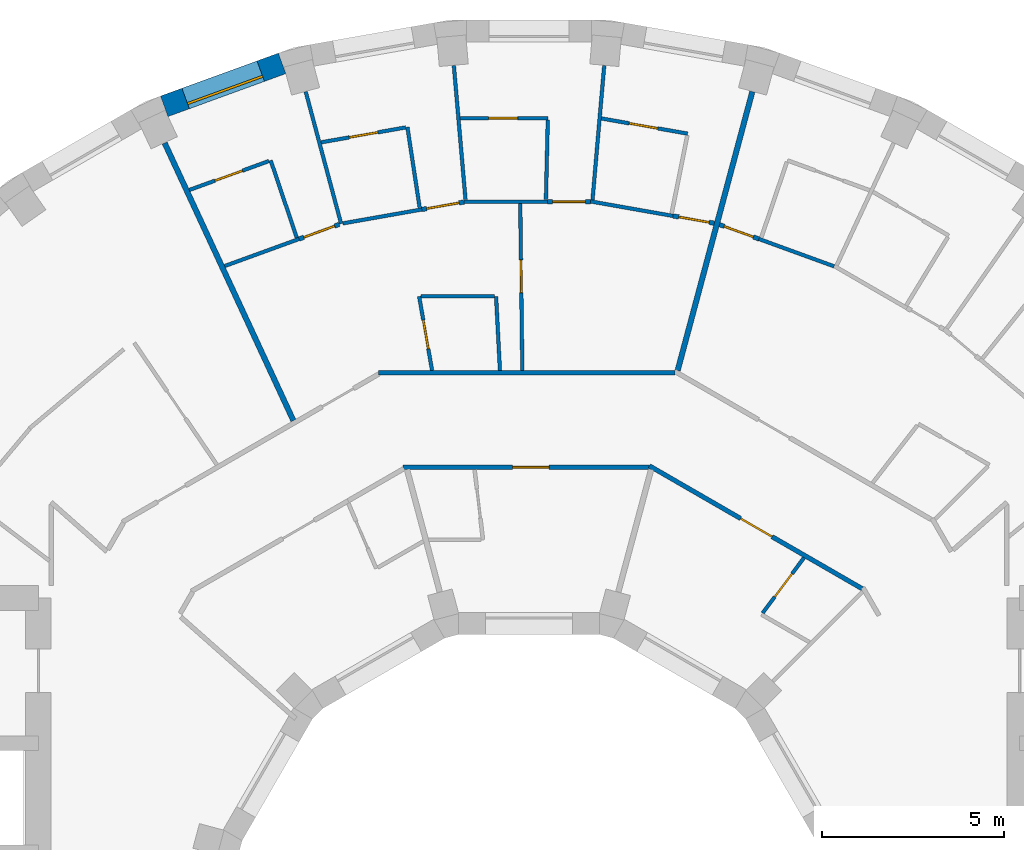
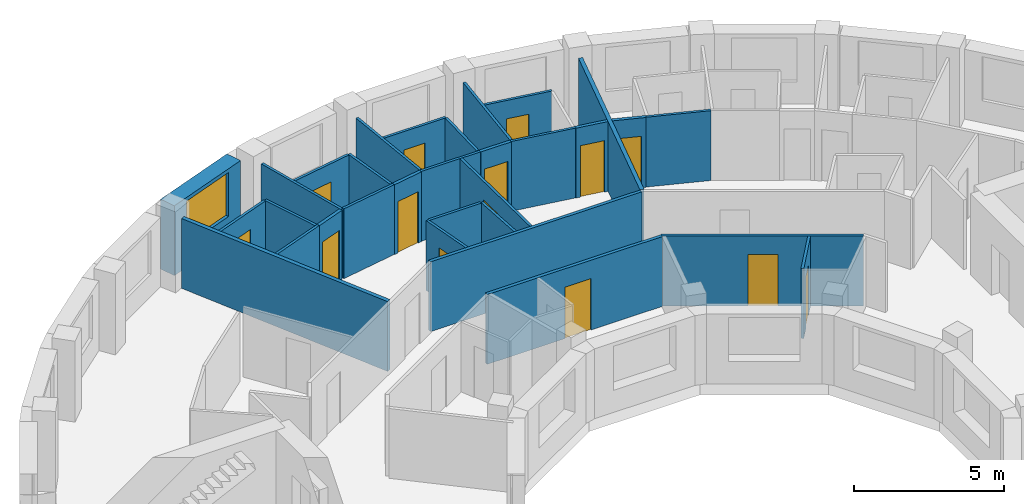
# One storey, part 11 of 14: 31 walls, 14 doors, 1 window, 15 openings.
"""IFC4 building model written with IfcOpenShell, lengths in metres."""

from ifc_helpers import new_model, si_unit, direction, frame, frame_2d, origin, place, context, subcontext, project, spatial, rectangle, extrude, material, layer, layer_set, type_object, element, fill, save


model = new_model("IFC4")

# Units and contexts
model_context = context("Model", 3, precision=1e-05, world=origin(), true_north=direction((0.0, 1.0)))
body_context = subcontext(model_context, "Body", "Model", "MODEL_VIEW")
ifc_project = project(units=[si_unit("LENGTHUNIT", "METRE"), si_unit("AREAUNIT", "SQUARE_METRE"), si_unit("VOLUMEUNIT", "CUBIC_METRE"), si_unit("PLANEANGLEUNIT", "RADIAN"), si_unit("MASSUNIT", "GRAM", prefix="KILO")], contexts=[model_context])

# Site, building, storey
site_placement = place(None, origin())
site = spatial("IfcSite", under=ifc_project, at=site_placement, CompositionType="ELEMENT")
building_placement = place(site_placement, origin())
building = spatial("IfcBuilding", under=site, at=building_placement, Name="Saqina Gate Tower", CompositionType="ELEMENT")
storey_placement = place(building_placement, frame((0.0, 0.0, 177.300048828125)))
storey = spatial("IfcBuildingStorey", under=building, at=storey_placement, Name="L50", CompositionType="ELEMENT", Elevation=177.300048828125)

# Wall, opening, window
ifc_material_1 = material(Name="Brick masonry (buff)", Category="masonry")
ifc_layer_1 = layer(ifc_material_1, 0.60009765625)
ifc_layer_set_1 = layer_set([ifc_layer_1], Name="FW-BRICK-BUFF")
wall_type_1 = type_object("IfcWallType", Name="FW-BRICK-BUFF", PredefinedType="SOLIDWALL", material=ifc_layer_set_1)
wall_1_placement = place(storey_placement, frame((-6.79443359375, 23.7109375, 0.0), z_axis=(0.0, 0.0, 1.0), x_axis=(-0.93968799822, -0.342032843455, 0.0)))
wall_1 = element("IfcWall", 1, at=wall_1_placement, inside=storey, type_object=wall_type_1, Name="Facade wall L50 facet 11", PredefinedType="SOLIDWALL", context=body_context, shape_type="SweptSolid", body=[
    extrude(rectangle(XDim=3.44970703125, YDim=0.60009765625, at=frame_2d((1.724853515625, 0.0))), origin(), (0.0, 0.0, 1.0), 2.849853515625),
])
opening_1_placement = place(wall_1_placement, frame((0.625, 0.0, 0.89990234375)))
opening_1 = element("IfcOpeningElement", 2, at=opening_1_placement, cuts=wall_1, Name="Opening G14-W09", PredefinedType="OPENING", context=body_context, shape_type="SweptSolid", body=[
    extrude(rectangle(XDim=2.199951171875, YDim=1.800048828125, at=frame_2d((1.10009765625, 0.89990234375))), frame((0.0, 0.31201171875, 0.0), z_axis=(0.0, -1.0, 0.0), x_axis=(1.0, 0.0, 0.0)), (0.0, 0.0, 1.0), 0.6240234375),
])
ifc_material_2 = material(Name="Aluminium glazing", Category="aluminium")
window_type = type_object("IfcWindowType", Name="WN-C", PartitioningType="SINGLE_PANEL", PredefinedType="WINDOW", material=ifc_material_2)
window_placement = place(opening_1_placement, origin())
window = element("IfcWindow", 3, at=window_placement, inside=storey, type_object=window_type, Name="Window L50 facet 11", OverallHeight=1.800048828125, OverallWidth=2.199951171875, PartitioningType="SINGLE_PANEL", PredefinedType="WINDOW", context=body_context, shape_type="SweptSolid", body=[
    extrude(rectangle(XDim=2.199951171875, YDim=1.800048828125, at=frame_2d((1.10009765625, 0.89990234375))), frame((0.0, 0.179931640625, 0.0), z_axis=(0.0, -1.0, 0.0), x_axis=(1.0, 0.0, 0.0)), (0.0, 0.0, 1.0), 0.06005859375),
])
fill(opening_1, window)

# Wall, opening, door
ifc_material_3 = material(Name="Gypsum board on steel studs, 100 mm", Category="steel")
ifc_layer_2 = layer(ifc_material_3, 0.10009765625)
ifc_layer_set_2 = layer_set([ifc_layer_2], Name="PARTITION 100")
wall_type_2 = type_object("IfcWallType", Name="PARTITION 100", PredefinedType="PARTITIONING", material=ifc_layer_set_2)
wall_2_placement = place(storey_placement, frame((-0.241455078125, 19.85498046875, 0.0), z_axis=(0.0, 0.0, 1.0), x_axis=(0.012332271409, -0.999923954649, 0.0)))
wall_2 = element("IfcWall", 4, at=wall_2_placement, inside=storey, type_object=wall_type_2, Name="PARTITION PW3-01", PredefinedType="PARTITIONING", context=body_context, shape_type="SweptSolid", body=[
    extrude(rectangle(XDim=4.5927734375, YDim=0.10009765625, at=frame_2d((2.29638671875, 0.0))), origin(), (0.0, 0.0, 1.0), 2.849853515625),
])
opening_2_placement = place(wall_2_placement, frame((1.552734375, 0.0, 0.0)))
opening_2 = element("IfcOpeningElement", 5, at=opening_2_placement, cuts=wall_2, Name="Opening G14-D18", PredefinedType="OPENING", context=body_context, shape_type="SweptSolid", body=[
    extrude(rectangle(XDim=0.89990234375, YDim=2.10009765625, at=frame_2d((0.449951171875, 1.050048828125))), frame((0.0, 0.06201171875, 0.0), z_axis=(0.0, -1.0, 0.0), x_axis=(1.0, 0.0, 0.0)), (0.0, 0.0, 1.0), 0.1240234375),
])
ifc_material_4 = material(Name="Timber door leaf, 900 mm", Category="wood")
door_type_1 = type_object("IfcDoorType", Name="DOOR 900 TIMBER", OperationType="SINGLE_SWING_LEFT", PredefinedType="DOOR", material=ifc_material_4)
door_1_placement = place(opening_2_placement, frame((0.89990234375, 0.0, 0.0), z_axis=(0.0, 0.0, 1.0), x_axis=(-1.0, 0.0, 0.0)))
door_1 = element("IfcDoor", 6, at=door_1_placement, inside=storey, type_object=door_type_1, Name="DOOR G14-D18", OperationType="SINGLE_SWING_LEFT", OverallHeight=2.10009765625, OverallWidth=0.89990234375, PredefinedType="DOOR", context=body_context, shape_type="SweptSolid", body=[
    extrude(rectangle(XDim=0.89990234375, YDim=2.10009765625, at=frame_2d((0.449951171875, 1.050048828125))), frame((0.0, 0.02490234375, 0.0), z_axis=(0.0, -1.0, 0.0), x_axis=(1.0, 0.0, 0.0)), (0.0, 0.0, 1.0), 0.050048828125),
])
fill(opening_2, door_1)

# Walls
wall_3_placement = place(storey_placement, frame((-0.906982421875, 17.300048828125, 0.0), z_axis=(0.0, 0.0, 1.0), x_axis=(0.052288783436, -0.998632005859, 0.0)))
element("IfcWall", 7, at=wall_3_placement, inside=storey, type_object=wall_type_2, Name="PARTITION PW3-03", PredefinedType="PARTITIONING", context=body_context, shape_type="SweptSolid", body=[
    extrude(rectangle(XDim=2.040283203125, YDim=0.10009765625, at=frame_2d((1.02001953125, 0.0))), origin(), (0.0, 0.0, 1.0), 2.849853515625),
])
wall_4_placement = place(storey_placement, frame((-2.06884765625, 23.649658203125, 0.0), z_axis=(0.0, 0.0, 1.0), x_axis=(0.086783514493, -0.996227193773, 0.0)))
element("IfcWall", 8, at=wall_4_placement, inside=storey, type_object=wall_type_2, Name="PARTITION PW3-04", PredefinedType="PARTITIONING", context=body_context, shape_type="SweptSolid", body=[
    extrude(rectangle(XDim=3.696533203125, YDim=0.10009765625, at=frame_2d((1.84814453125, 0.0))), origin(), (0.0, 0.0, 1.0), 2.849853515625),
])
wall_5_placement = place(storey_placement, frame((-3.346923828125, 21.95703125, 0.0), z_axis=(0.0, 0.0, 1.0), x_axis=(0.150778111259, -0.988567631053, 0.0)))
element("IfcWall", 9, at=wall_5_placement, inside=storey, type_object=wall_type_2, Name="PARTITION PW3-08", PredefinedType="PARTITIONING", context=body_context, shape_type="SweptSolid", body=[
    extrude(rectangle(XDim=2.23779296875, YDim=0.10009765625, at=frame_2d((1.118896484375, 0.0))), origin(), (0.0, 0.0, 1.0), 2.849853515625),
])

# Wall, opening, door
wall_6_placement = place(storey_placement, frame((-3.02392578125, 17.300048828125, 0.0), z_axis=(0.0, 0.0, 1.0), x_axis=(0.172122773882, -0.985075505081, 0.0)))
wall_6 = element("IfcWall", 10, at=wall_6_placement, inside=storey, type_object=wall_type_2, Name="PARTITION PW3-10", PredefinedType="PARTITIONING", context=body_context, shape_type="SweptSolid", body=[
    extrude(rectangle(XDim=2.069580078125, YDim=0.10009765625, at=frame_2d((1.03466796875, 0.0))), origin(), (0.0, 0.0, 1.0), 2.849853515625),
])
opening_3_placement = place(wall_6_placement, frame((0.666015625, 0.0, 0.0)))
opening_3 = element("IfcOpeningElement", 11, at=opening_3_placement, cuts=wall_6, Name="Opening G14-D22", PredefinedType="OPENING", context=body_context, shape_type="SweptSolid", body=[
    extrude(rectangle(XDim=0.800048828125, YDim=2.10009765625, at=frame_2d((0.39990234375, 1.050048828125))), frame((0.0, 0.06201171875, 0.0), z_axis=(0.0, -1.0, 0.0), x_axis=(1.0, 0.0, 0.0)), (0.0, 0.0, 1.0), 0.1240234375),
])
ifc_material_5 = material(Name="Timber door leaf, 800 mm", Category="wood")
door_type_2 = type_object("IfcDoorType", Name="DOOR 800 TIMBER", OperationType="SINGLE_SWING_LEFT", PredefinedType="DOOR", material=ifc_material_5)
door_2_placement = place(opening_3_placement, frame((0.800048828125, 0.0, 0.0), z_axis=(0.0, 0.0, 1.0), x_axis=(-1.0, 0.0, 0.0)))
door_2 = element("IfcDoor", 12, at=door_2_placement, inside=storey, type_object=door_type_2, Name="DOOR G14-D22", OperationType="SINGLE_SWING_LEFT", OverallHeight=2.10009765625, OverallWidth=0.800048828125, PredefinedType="DOOR", context=body_context, shape_type="SweptSolid", body=[
    extrude(rectangle(XDim=0.800048828125, YDim=2.10009765625, at=frame_2d((0.39990234375, 1.050048828125))), frame((0.0, 0.02490234375, 0.0), z_axis=(0.0, -1.0, 0.0), x_axis=(1.0, 0.0, 0.0)), (0.0, 0.0, 1.0), 0.050048828125),
])
fill(opening_3, door_2)

# Walls
wall_7_placement = place(storey_placement, frame((-6.144775390625, 22.930908203125, 0.0), z_axis=(0.0, 0.0, 1.0), x_axis=(0.259065026248, -0.965859882268, 0.0)))
element("IfcWall", 13, at=wall_7_placement, inside=storey, type_object=wall_type_2, Name="PARTITION PW3-13", PredefinedType="PARTITIONING", context=body_context, shape_type="SweptSolid", body=[
    extrude(rectangle(XDim=3.75927734375, YDim=0.10009765625, at=frame_2d((1.879638671875, 0.0))), origin(), (0.0, 0.0, 1.0), 2.849853515625),
])
wall_8_placement = place(storey_placement, frame((-7.10888671875, 21.0419921875, 0.0), z_axis=(0.0, 0.0, 1.0), x_axis=(0.320001473527, -0.947417044886, 0.0)))
element("IfcWall", 14, at=wall_8_placement, inside=storey, type_object=wall_type_2, Name="PARTITION PW3-15", PredefinedType="PARTITIONING", context=body_context, shape_type="SweptSolid", body=[
    extrude(rectangle(XDim=2.25, YDim=0.10009765625, at=frame_2d((1.125, 0.0))), origin(), (0.0, 0.0, 1.0), 2.849853515625),
])
wall_9_placement = place(storey_placement, frame((6.325927734375, 18.879638671875, 0.0), z_axis=(0.0, 0.0, 1.0), x_axis=(0.939712538812, -0.341965414041, 0.0)))
element("IfcWall", 15, at=wall_9_placement, inside=storey, type_object=wall_type_2, Name="PARTITION PW3-44", PredefinedType="PARTITIONING", context=body_context, shape_type="SweptSolid", body=[
    extrude(rectangle(XDim=2.203857421875, YDim=0.10009765625, at=frame_2d((1.10205078125, 0.0))), origin(), (0.0, 0.0, 1.0), 2.849853515625),
])
wall_10_placement = place(storey_placement, frame((1.69091796875, 19.913818359375, 0.0), z_axis=(0.0, 0.0, 1.0), x_axis=(0.984801677979, -0.173682627367, 0.0)))
element("IfcWall", 16, at=wall_10_placement, inside=storey, type_object=wall_type_2, Name="PARTITION PW3-48", PredefinedType="PARTITIONING", context=body_context, shape_type="SweptSolid", body=[
    extrude(rectangle(XDim=2.305419921875, YDim=0.10009765625, at=frame_2d((1.15283203125, 0.0))), origin(), (0.0, 0.0, 1.0), 2.849853515625),
])

# Wall, opening, door
wall_11_placement = place(storey_placement, frame((1.9921875, 22.1962890625, 0.0), z_axis=(0.0, 0.0, 1.0), x_axis=(0.984820260231, -0.173577230762, 0.0)))
wall_11 = element("IfcWall", 17, at=wall_11_placement, inside=storey, type_object=wall_type_2, Name="PARTITION PW3-49", PredefinedType="PARTITIONING", context=body_context, shape_type="SweptSolid", body=[
    extrude(rectangle(XDim=2.409423828125, YDim=0.10009765625, at=frame_2d((1.20458984375, 0.0))), origin(), (0.0, 0.0, 1.0), 2.849853515625),
])
opening_4_placement = place(wall_11_placement, frame((0.77978515625, 0.0, 0.0)))
opening_4 = element("IfcOpeningElement", 18, at=opening_4_placement, cuts=wall_11, Name="Opening G14-D15", PredefinedType="OPENING", context=body_context, shape_type="SweptSolid", body=[
    extrude(rectangle(XDim=0.800048828125, YDim=2.10009765625, at=frame_2d((0.39990234375, 1.050048828125))), frame((0.0, 0.06201171875, 0.0), z_axis=(0.0, -1.0, 0.0), x_axis=(1.0, 0.0, 0.0)), (0.0, 0.0, 1.0), 0.1240234375),
])
door_3_placement = place(opening_4_placement, origin())
door_3 = element("IfcDoor", 19, at=door_3_placement, inside=storey, type_object=door_type_2, Name="DOOR G14-D15", OperationType="SINGLE_SWING_LEFT", OverallHeight=2.10009765625, OverallWidth=0.800048828125, PredefinedType="DOOR", context=body_context, shape_type="SweptSolid", body=[
    extrude(rectangle(XDim=0.800048828125, YDim=2.10009765625, at=frame_2d((0.39990234375, 1.050048828125))), frame((0.0, 0.02490234375, 0.0), z_axis=(0.0, -1.0, 0.0), x_axis=(1.0, 0.0, 0.0)), (0.0, 0.0, 1.0), 0.050048828125),
])
fill(opening_4, door_3)

# Walls
wall_12_placement = place(storey_placement, frame((-2.97412109375, 17.300048828125, 0.0), z_axis=(0.0, 0.0, 1.0), x_axis=(1.0, 0.0, 0.0)))
element("IfcWall", 20, at=wall_12_placement, inside=storey, type_object=wall_type_2, Name="PARTITION PW3-55", PredefinedType="PARTITIONING", context=body_context, shape_type="SweptSolid", body=[
    extrude(rectangle(XDim=2.01708984375, YDim=0.10009765625, at=frame_2d((1.008544921875, 0.0))), origin(), (0.0, 0.0, 1.0), 2.849853515625),
])
wall_13_placement = place(storey_placement, frame((-1.791748046875, 19.905029296875, 0.0), z_axis=(0.0, 0.0, 1.0), x_axis=(1.0, 0.0, 0.0)))
element("IfcWall", 21, at=wall_13_placement, inside=storey, type_object=wall_type_2, Name="PARTITION PW3-56", PredefinedType="PARTITIONING", context=body_context, shape_type="SweptSolid", body=[
    extrude(rectangle(XDim=2.3046875, YDim=0.10009765625, at=frame_2d((1.15234375, 0.0))), origin(), (0.0, 0.0, 1.0), 2.849853515625),
])

# Wall, opening, door
wall_14_placement = place(storey_placement, frame((-1.89306640625, 22.205078125, 0.0), z_axis=(0.0, 0.0, 1.0), x_axis=(1.0, 0.0, 0.0)))
wall_14 = element("IfcWall", 22, at=wall_14_placement, inside=storey, type_object=wall_type_2, Name="PARTITION PW3-57", PredefinedType="PARTITIONING", context=body_context, shape_type="SweptSolid", body=[
    extrude(rectangle(XDim=2.41015625, YDim=0.10009765625, at=frame_2d((1.205078125, 0.0))), origin(), (0.0, 0.0, 1.0), 2.849853515625),
])
opening_5_placement = place(wall_14_placement, frame((0.780029296875, 0.0, 0.0)))
opening_5 = element("IfcOpeningElement", 23, at=opening_5_placement, cuts=wall_14, Name="Opening G14-D19", PredefinedType="OPENING", context=body_context, shape_type="SweptSolid", body=[
    extrude(rectangle(XDim=0.800048828125, YDim=2.10009765625, at=frame_2d((0.39990234375, 1.050048828125))), frame((0.0, 0.06201171875, 0.0), z_axis=(0.0, -1.0, 0.0), x_axis=(1.0, 0.0, 0.0)), (0.0, 0.0, 1.0), 0.1240234375),
])
door_4_placement = place(opening_5_placement, origin())
door_4 = element("IfcDoor", 24, at=door_4_placement, inside=storey, type_object=door_type_2, Name="DOOR G14-D19", OperationType="SINGLE_SWING_LEFT", OverallHeight=2.10009765625, OverallWidth=0.800048828125, PredefinedType="DOOR", context=body_context, shape_type="SweptSolid", body=[
    extrude(rectangle(XDim=0.800048828125, YDim=2.10009765625, at=frame_2d((0.39990234375, 1.050048828125))), frame((0.0, 0.02490234375, 0.0), z_axis=(0.0, -1.0, 0.0), x_axis=(1.0, 0.0, 0.0)), (0.0, 0.0, 1.0), 0.050048828125),
])
fill(opening_5, door_4)

# Wall
wall_15_placement = place(storey_placement, frame((-5.121826171875, 19.30859375, 0.0), z_axis=(0.0, 0.0, 1.0), x_axis=(0.984790246942, 0.173747430277, 0.0)))
element("IfcWall", 25, at=wall_15_placement, inside=storey, type_object=wall_type_2, Name="PARTITION PW3-60", PredefinedType="PARTITIONING", context=body_context, shape_type="SweptSolid", body=[
    extrude(rectangle(XDim=2.20458984375, YDim=0.10009765625, at=frame_2d((1.102294921875, 0.0))), origin(), (0.0, 0.0, 1.0), 2.849853515625),
])

# Wall, opening, door
wall_16_placement = place(storey_placement, frame((-5.7197265625, 21.53857421875, 0.0), z_axis=(0.0, 0.0, 1.0), x_axis=(0.984809591131, 0.173637752855, 0.0)))
wall_16 = element("IfcWall", 26, at=wall_16_placement, inside=storey, type_object=wall_type_2, Name="PARTITION PW3-61", PredefinedType="PARTITIONING", context=body_context, shape_type="SweptSolid", body=[
    extrude(rectangle(XDim=2.359375, YDim=0.10009765625, at=frame_2d((1.1796875, 0.0))), origin(), (0.0, 0.0, 1.0), 2.849853515625),
])
opening_6_placement = place(wall_16_placement, frame((0.77978515625, 0.0, 0.0)))
opening_6 = element("IfcOpeningElement", 27, at=opening_6_placement, cuts=wall_16, Name="Opening G14-D23", PredefinedType="OPENING", context=body_context, shape_type="SweptSolid", body=[
    extrude(rectangle(XDim=0.800048828125, YDim=2.10009765625, at=frame_2d((0.39990234375, 1.050048828125))), frame((0.0, 0.06201171875, 0.0), z_axis=(0.0, -1.0, 0.0), x_axis=(1.0, 0.0, 0.0)), (0.0, 0.0, 1.0), 0.1240234375),
])
door_5_placement = place(opening_6_placement, origin())
door_5 = element("IfcDoor", 28, at=door_5_placement, inside=storey, type_object=door_type_2, Name="DOOR G14-D23", OperationType="SINGLE_SWING_RIGHT", OverallHeight=2.10009765625, OverallWidth=0.800048828125, PredefinedType="DOOR", context=body_context, shape_type="SweptSolid", body=[
    extrude(rectangle(XDim=0.800048828125, YDim=2.10009765625, at=frame_2d((0.39990234375, 1.050048828125))), frame((0.0, 0.02490234375, 0.0), z_axis=(0.0, -1.0, 0.0), x_axis=(1.0, 0.0, 0.0)), (0.0, 0.0, 1.0), 0.050048828125),
])
fill(opening_6, door_5)

# Wall
wall_17_placement = place(storey_placement, frame((-8.37353515625, 18.134765625, 0.0), z_axis=(0.0, 0.0, 1.0), x_axis=(0.939750886848, 0.341860016189, 0.0)))
element("IfcWall", 29, at=wall_17_placement, inside=storey, type_object=wall_type_2, Name="PARTITION PW3-64", PredefinedType="PARTITIONING", context=body_context, shape_type="SweptSolid", body=[
    extrude(rectangle(XDim=2.178955078125, YDim=0.10009765625, at=frame_2d((1.08935546875, 0.0))), origin(), (0.0, 0.0, 1.0), 2.849853515625),
])

# Wall, opening, door
wall_18_placement = place(storey_placement, frame((-9.349609375, 20.2265625, 0.0), z_axis=(0.0, 0.0, 1.0), x_axis=(0.939701781882, 0.341994972371, 0.0)))
wall_18 = element("IfcWall", 30, at=wall_18_placement, inside=storey, type_object=wall_type_2, Name="PARTITION PW3-65", PredefinedType="PARTITIONING", context=body_context, shape_type="SweptSolid", body=[
    extrude(rectangle(XDim=2.33447265625, YDim=0.10009765625, at=frame_2d((1.167236328125, 0.0))), origin(), (0.0, 0.0, 1.0), 2.849853515625),
])
opening_7_placement = place(wall_18_placement, frame((0.754638671875, 0.0, 0.0)))
opening_7 = element("IfcOpeningElement", 31, at=opening_7_placement, cuts=wall_18, Name="Opening G14-D26", PredefinedType="OPENING", context=body_context, shape_type="SweptSolid", body=[
    extrude(rectangle(XDim=0.800048828125, YDim=2.10009765625, at=frame_2d((0.39990234375, 1.050048828125))), frame((0.0, 0.06201171875, 0.0), z_axis=(0.0, -1.0, 0.0), x_axis=(1.0, 0.0, 0.0)), (0.0, 0.0, 1.0), 0.1240234375),
])
door_6_placement = place(opening_7_placement, origin())
door_6 = element("IfcDoor", 32, at=door_6_placement, inside=storey, type_object=door_type_2, Name="DOOR G14-D26", OperationType="SINGLE_SWING_LEFT", OverallHeight=2.10009765625, OverallWidth=0.800048828125, PredefinedType="DOOR", context=body_context, shape_type="SweptSolid", body=[
    extrude(rectangle(XDim=0.800048828125, YDim=2.10009765625, at=frame_2d((0.39990234375, 1.050048828125))), frame((0.0, 0.02490234375, 0.0), z_axis=(0.0, -1.0, 0.0), x_axis=(1.0, 0.0, 0.0)), (0.0, 0.0, 1.0), 0.050048828125),
])
fill(opening_7, door_6)

wall_19_placement = place(storey_placement, frame((6.427001953125, 8.5859375, 0.0), z_axis=(0.0, 0.0, 1.0), x_axis=(0.599137140235, 0.800646418334, 0.0)))
wall_19 = element("IfcWall", 33, at=wall_19_placement, inside=storey, type_object=wall_type_2, Name="PARTITION PW3-87", PredefinedType="PARTITIONING", context=body_context, shape_type="SweptSolid", body=[
    extrude(rectangle(XDim=1.902099609375, YDim=0.10009765625, at=frame_2d((0.951171875, 0.0))), origin(), (0.0, 0.0, 1.0), 2.849853515625),
])
opening_8_placement = place(wall_19_placement, frame((0.557373046875, 0.0, 0.0)))
opening_8 = element("IfcOpeningElement", 34, at=opening_8_placement, cuts=wall_19, Name="Opening G14-D06", PredefinedType="OPENING", context=body_context, shape_type="SweptSolid", body=[
    extrude(rectangle(XDim=0.800048828125, YDim=2.10009765625, at=frame_2d((0.39990234375, 1.050048828125))), frame((0.0, 0.06201171875, 0.0), z_axis=(0.0, -1.0, 0.0), x_axis=(1.0, 0.0, 0.0)), (0.0, 0.0, 1.0), 0.1240234375),
])
door_7_placement = place(opening_8_placement, origin())
door_7 = element("IfcDoor", 35, at=door_7_placement, inside=storey, type_object=door_type_2, Name="DOOR G14-D06", OperationType="SINGLE_SWING_RIGHT", OverallHeight=2.10009765625, OverallWidth=0.800048828125, PredefinedType="DOOR", context=body_context, shape_type="SweptSolid", body=[
    extrude(rectangle(XDim=0.800048828125, YDim=2.10009765625, at=frame_2d((0.39990234375, 1.050048828125))), frame((0.0, 0.02490234375, 0.0), z_axis=(0.0, -1.0, 0.0), x_axis=(1.0, 0.0, 0.0)), (0.0, 0.0, 1.0), 0.050048828125),
])
fill(opening_8, door_7)

# Walls
wall_20_placement = place(storey_placement, frame((1.746826171875, 19.95458984375, 0.0), z_axis=(0.0, 0.0, 1.0), x_axis=(0.086819919703, 0.996224021766, 0.0)))
element("IfcWall", 36, at=wall_20_placement, inside=storey, type_object=wall_type_2, Name="PARTITION PW3-102", PredefinedType="PARTITIONING", context=body_context, shape_type="SweptSolid", body=[
    extrude(rectangle(XDim=3.708984375, YDim=0.10009765625, at=frame_2d((1.8544921875, 0.0))), origin(), (0.0, 0.0, 1.0), 2.849853515625),
])
wall_21_placement = place(storey_placement, frame((0.46435546875, 19.967529296875, 0.0), z_axis=(0.0, 0.0, 1.0), x_axis=(0.023542580156, 0.99972283505, 0.0)))
element("IfcWall", 37, at=wall_21_placement, inside=storey, type_object=wall_type_2, Name="PARTITION PW3-103", PredefinedType="PARTITIONING", context=body_context, shape_type="SweptSolid", body=[
    extrude(rectangle(XDim=2.18798828125, YDim=0.10009765625, at=frame_2d((1.093994140625, 0.0))), origin(), (0.0, 0.0, 1.0), 2.849853515625),
])

# Wall, opening, door
ifc_material_6 = material(Name="Gypsum board on steel studs, 125 mm, fire rated", Category="steel")
ifc_layer_3 = layer(ifc_material_6, 0.125)
ifc_layer_set_3 = layer_set([ifc_layer_3], Name="PARTITION EI 30 125")
wall_type_3 = type_object("IfcWallType", Name="PARTITION EI 30 125", PredefinedType="PARTITIONING", material=ifc_layer_set_3)
wall_22_placement = place(storey_placement, frame((3.3134765625, 12.635986328125, 0.0), z_axis=(0.0, 0.0, 1.0), x_axis=(0.866048512801, -0.499959971872, 0.0)))
wall_22 = element("IfcWall", 38, at=wall_22_placement, inside=storey, type_object=wall_type_3, Name="PARTITION PW1-19", PredefinedType="PARTITIONING", context=body_context, shape_type="SweptSolid", body=[
    extrude(rectangle(XDim=6.76220703125, YDim=0.125, at=frame_2d((3.381103515625, 0.0))), origin(), (0.0, 0.0, 1.0), 2.849853515625),
])
opening_9_placement = place(wall_22_placement, frame((2.897705078125, 0.0, 0.0)))
opening_9 = element("IfcOpeningElement", 39, at=opening_9_placement, cuts=wall_22, Name="Opening G14-D09", PredefinedType="OPENING", context=body_context, shape_type="SweptSolid", body=[
    extrude(rectangle(XDim=1.0, YDim=2.10009765625, at=frame_2d((0.5, 1.050048828125))), frame((0.0, 0.074462890625, 0.0), z_axis=(0.0, -1.0, 0.0), x_axis=(1.0, 0.0, 0.0)), (0.0, 0.0, 1.0), 0.14892578125),
])
ifc_material_7 = material(Name="Fire door leaf EI 30, 1000 mm")
door_type_3 = type_object("IfcDoorType", Name="DOOR 1000 EI 30", OperationType="SINGLE_SWING_LEFT", PredefinedType="DOOR", material=ifc_material_7)
door_8_placement = place(opening_9_placement, frame((1.0, 0.0, 0.0), z_axis=(0.0, 0.0, 1.0), x_axis=(-1.0, 0.0, 0.0)))
door_8 = element("IfcDoor", 40, at=door_8_placement, inside=storey, type_object=door_type_3, Name="DOOR G14-D09", OperationType="SINGLE_SWING_LEFT", OverallHeight=2.10009765625, OverallWidth=1.0, PredefinedType="DOOR", context=body_context, shape_type="SweptSolid", body=[
    extrude(rectangle(XDim=1.0, YDim=2.10009765625, at=frame_2d((0.5, 1.050048828125))), frame((0.0, 0.02490234375, 0.0), z_axis=(0.0, -1.0, 0.0), x_axis=(1.0, 0.0, 0.0)), (0.0, 0.0, 1.0), 0.050048828125),
])
fill(opening_9, door_8)

wall_23_placement = place(storey_placement, frame((5.241455078125, 19.2744140625, 0.0), z_axis=(0.0, 0.0, 1.0), x_axis=(0.939651255639, -0.342133771756, 0.0)))
wall_23 = element("IfcWall", 41, at=wall_23_placement, inside=storey, type_object=wall_type_3, Name="PARTITION PW1-23", PredefinedType="PARTITIONING", context=body_context, shape_type="SweptSolid", body=[
    extrude(rectangle(XDim=1.15380859375, YDim=0.125, at=frame_2d((0.576904296875, 0.0))), origin(), (0.0, 0.0, 1.0), 2.849853515625),
])
opening_10_placement = place(wall_23_placement, frame((0.139404296875, 0.0, 0.0)))
opening_10 = element("IfcOpeningElement", 42, at=opening_10_placement, cuts=wall_23, Name="Opening G14-D13", PredefinedType="OPENING", context=body_context, shape_type="SweptSolid", body=[
    extrude(rectangle(XDim=0.85009765625, YDim=2.10009765625, at=frame_2d((0.425048828125, 1.050048828125))), frame((0.0, 0.074462890625, 0.0), z_axis=(0.0, -1.0, 0.0), x_axis=(1.0, 0.0, 0.0)), (0.0, 0.0, 1.0), 0.14892578125),
])
ifc_material_8 = material(Name="Fire door leaf EI 30, 850 mm")
door_type_4 = type_object("IfcDoorType", Name="DOOR 850 EI 30", OperationType="SINGLE_SWING_LEFT", PredefinedType="DOOR", material=ifc_material_8)
door_9_placement = place(opening_10_placement, frame((0.85009765625, 0.0, 0.0), z_axis=(0.0, 0.0, 1.0), x_axis=(-1.0, 0.0, 0.0)))
door_9 = element("IfcDoor", 43, at=door_9_placement, inside=storey, type_object=door_type_4, Name="DOOR G14-D13", OperationType="SINGLE_SWING_RIGHT", OverallHeight=2.10009765625, OverallWidth=0.85009765625, PredefinedType="DOOR", context=body_context, shape_type="SweptSolid", body=[
    extrude(rectangle(XDim=0.85009765625, YDim=2.10009765625, at=frame_2d((0.425048828125, 1.050048828125))), frame((0.0, 0.02490234375, 0.0), z_axis=(0.0, -1.0, 0.0), x_axis=(1.0, 0.0, 0.0)), (0.0, 0.0, 1.0), 0.050048828125),
])
fill(opening_10, door_9)

wall_24_placement = place(storey_placement, frame((3.961181640625, 19.513427734375, 0.0), z_axis=(0.0, 0.0, 1.0), x_axis=(0.984787819846, -0.173761186352, 0.0)))
wall_24 = element("IfcWall", 44, at=wall_24_placement, inside=storey, type_object=wall_type_3, Name="PARTITION PW1-25", PredefinedType="PARTITIONING", context=body_context, shape_type="SweptSolid", body=[
    extrude(rectangle(XDim=1.153564453125, YDim=0.125, at=frame_2d((0.57666015625, 0.0))), origin(), (0.0, 0.0, 1.0), 2.849853515625),
])
opening_11_placement = place(wall_24_placement, frame((0.164306640625, 0.0, 0.0)))
opening_11 = element("IfcOpeningElement", 45, at=opening_11_placement, cuts=wall_24, Name="Opening G14-D14", PredefinedType="OPENING", context=body_context, shape_type="SweptSolid", body=[
    extrude(rectangle(XDim=0.85009765625, YDim=2.10009765625, at=frame_2d((0.425048828125, 1.050048828125))), frame((0.0, 0.074462890625, 0.0), z_axis=(0.0, -1.0, 0.0), x_axis=(1.0, 0.0, 0.0)), (0.0, 0.0, 1.0), 0.14892578125),
])
door_10_placement = place(opening_11_placement, frame((0.85009765625, 0.0, 0.0), z_axis=(0.0, 0.0, 1.0), x_axis=(-1.0, 0.0, 0.0)))
door_10 = element("IfcDoor", 46, at=door_10_placement, inside=storey, type_object=door_type_4, Name="DOOR G14-D14", OperationType="SINGLE_SWING_LEFT", OverallHeight=2.10009765625, OverallWidth=0.85009765625, PredefinedType="DOOR", context=body_context, shape_type="SweptSolid", body=[
    extrude(rectangle(XDim=0.85009765625, YDim=2.10009765625, at=frame_2d((0.425048828125, 1.050048828125))), frame((0.0, 0.02490234375, 0.0), z_axis=(0.0, -1.0, 0.0), x_axis=(1.0, 0.0, 0.0)), (0.0, 0.0, 1.0), 0.050048828125),
])
fill(opening_11, door_10)

wall_25_placement = place(storey_placement, frame((-3.462646484375, 12.60009765625, 0.0), z_axis=(0.0, 0.0, 1.0), x_axis=(1.0, 0.0, 0.0)))
wall_25 = element("IfcWall", 47, at=wall_25_placement, inside=storey, type_object=wall_type_3, Name="PARTITION PW1-29", PredefinedType="PARTITIONING", context=body_context, shape_type="SweptSolid", body=[
    extrude(rectangle(XDim=6.776123046875, YDim=0.125, at=frame_2d((3.38818359375, 0.0))), origin(), (0.0, 0.0, 1.0), 2.849853515625),
])
opening_12_placement = place(wall_25_placement, frame((3.01318359375, 0.0, 0.0)))
opening_12 = element("IfcOpeningElement", 48, at=opening_12_placement, cuts=wall_25, Name="Opening G14-D17", PredefinedType="OPENING", context=body_context, shape_type="SweptSolid", body=[
    extrude(rectangle(XDim=1.0, YDim=2.10009765625, at=frame_2d((0.5, 1.050048828125))), frame((0.0, 0.074462890625, 0.0), z_axis=(0.0, -1.0, 0.0), x_axis=(1.0, 0.0, 0.0)), (0.0, 0.0, 1.0), 0.14892578125),
])
door_11_placement = place(opening_12_placement, frame((1.0, 0.0, 0.0), z_axis=(0.0, 0.0, 1.0), x_axis=(-1.0, 0.0, 0.0)))
door_11 = element("IfcDoor", 49, at=door_11_placement, inside=storey, type_object=door_type_3, Name="DOOR G14-D17", OperationType="SINGLE_SWING_LEFT", OverallHeight=2.10009765625, OverallWidth=1.0, PredefinedType="DOOR", context=body_context, shape_type="SweptSolid", body=[
    extrude(rectangle(XDim=1.0, YDim=2.10009765625, at=frame_2d((0.5, 1.050048828125))), frame((0.0, 0.02490234375, 0.0), z_axis=(0.0, -1.0, 0.0), x_axis=(1.0, 0.0, 0.0)), (0.0, 0.0, 1.0), 0.050048828125),
])
fill(opening_12, door_11)

# Wall
wall_26_placement = place(storey_placement, frame((-4.145263671875, 15.199951171875, 0.0), z_axis=(0.0, 0.0, 1.0), x_axis=(1.0, 0.0, 0.0)))
element("IfcWall", 50, at=wall_26_placement, inside=storey, type_object=wall_type_3, Name="PARTITION PW1-30", PredefinedType="PARTITIONING", context=body_context, shape_type="SweptSolid", body=[
    extrude(rectangle(XDim=8.15576171875, YDim=0.125, at=frame_2d((4.077880859375, 0.0))), origin(), (0.0, 0.0, 1.0), 2.849853515625),
])

# Wall, opening, door
wall_27_placement = place(storey_placement, frame((0.512939453125, 19.905029296875, 0.0), z_axis=(0.0, 0.0, 1.0), x_axis=(1.0, 0.0, 0.0)))
wall_27 = element("IfcWall", 51, at=wall_27_placement, inside=storey, type_object=wall_type_3, Name="PARTITION PW1-31", PredefinedType="PARTITIONING", context=body_context, shape_type="SweptSolid", body=[
    extrude(rectangle(XDim=1.177978515625, YDim=0.125, at=frame_2d((0.5888671875, 0.0))), origin(), (0.0, 0.0, 1.0), 2.849853515625),
])
opening_13_placement = place(wall_27_placement, frame((0.138916015625, 0.0, 0.0)))
opening_13 = element("IfcOpeningElement", 52, at=opening_13_placement, cuts=wall_27, Name="Opening G14-D16", PredefinedType="OPENING", context=body_context, shape_type="SweptSolid", body=[
    extrude(rectangle(XDim=0.89990234375, YDim=2.10009765625, at=frame_2d((0.449951171875, 1.050048828125))), frame((0.0, 0.074462890625, 0.0), z_axis=(0.0, -1.0, 0.0), x_axis=(1.0, 0.0, 0.0)), (0.0, 0.0, 1.0), 0.14892578125),
])
ifc_material_9 = material(Name="Fire door leaf EI 30, 900 mm")
door_type_5 = type_object("IfcDoorType", Name="DOOR 900 EI 30", OperationType="SINGLE_SWING_LEFT", PredefinedType="DOOR", material=ifc_material_9)
door_12_placement = place(opening_13_placement, frame((0.89990234375, 0.0, 0.0), z_axis=(0.0, 0.0, 1.0), x_axis=(-1.0, 0.0, 0.0)))
door_12 = element("IfcDoor", 53, at=door_12_placement, inside=storey, type_object=door_type_5, Name="DOOR G14-D16", OperationType="SINGLE_SWING_LEFT", OverallHeight=2.10009765625, OverallWidth=0.89990234375, PredefinedType="DOOR", context=body_context, shape_type="SweptSolid", body=[
    extrude(rectangle(XDim=0.89990234375, YDim=2.10009765625, at=frame_2d((0.449951171875, 1.050048828125))), frame((0.0, 0.02490234375, 0.0), z_axis=(0.0, -1.0, 0.0), x_axis=(1.0, 0.0, 0.0)), (0.0, 0.0, 1.0), 0.050048828125),
])
fill(opening_13, door_12)

wall_28_placement = place(storey_placement, frame((-2.95068359375, 19.691650390625, 0.0), z_axis=(0.0, 0.0, 1.0), x_axis=(0.984810663307, 0.173631671755, 0.0)))
wall_28 = element("IfcWall", 54, at=wall_28_placement, inside=storey, type_object=wall_type_3, Name="PARTITION PW1-33", PredefinedType="PARTITIONING", context=body_context, shape_type="SweptSolid", body=[
    extrude(rectangle(XDim=1.17822265625, YDim=0.125, at=frame_2d((0.589111328125, 0.0))), origin(), (0.0, 0.0, 1.0), 2.849853515625),
])
opening_14_placement = place(wall_28_placement, frame((0.13916015625, 0.0, 0.0)))
opening_14 = element("IfcOpeningElement", 55, at=opening_14_placement, cuts=wall_28, Name="Opening G14-D21", PredefinedType="OPENING", context=body_context, shape_type="SweptSolid", body=[
    extrude(rectangle(XDim=0.89990234375, YDim=2.10009765625, at=frame_2d((0.449951171875, 1.050048828125))), frame((0.0, 0.074462890625, 0.0), z_axis=(0.0, -1.0, 0.0), x_axis=(1.0, 0.0, 0.0)), (0.0, 0.0, 1.0), 0.14892578125),
])
door_13_placement = place(opening_14_placement, frame((0.89990234375, 0.0, 0.0), z_axis=(0.0, 0.0, 1.0), x_axis=(-1.0, 0.0, 0.0)))
door_13 = element("IfcDoor", 56, at=door_13_placement, inside=storey, type_object=door_type_5, Name="DOOR G14-D21", OperationType="SINGLE_SWING_LEFT", OverallHeight=2.10009765625, OverallWidth=0.89990234375, PredefinedType="DOOR", context=body_context, shape_type="SweptSolid", body=[
    extrude(rectangle(XDim=0.89990234375, YDim=2.10009765625, at=frame_2d((0.449951171875, 1.050048828125))), frame((0.0, 0.02490234375, 0.0), z_axis=(0.0, -1.0, 0.0), x_axis=(1.0, 0.0, 0.0)), (0.0, 0.0, 1.0), 0.050048828125),
])
fill(opening_14, door_13)

wall_29_placement = place(storey_placement, frame((-6.325927734375, 18.879638671875, 0.0), z_axis=(0.0, 0.0, 1.0), x_axis=(0.939672449317, 0.342075558896, 0.0)))
wall_29 = element("IfcWall", 57, at=wall_29_placement, inside=storey, type_object=wall_type_3, Name="PARTITION PW1-35", PredefinedType="PARTITIONING", context=body_context, shape_type="SweptSolid", body=[
    extrude(rectangle(XDim=1.178955078125, YDim=0.125, at=frame_2d((0.58935546875, 0.0))), origin(), (0.0, 0.0, 1.0), 2.849853515625),
])
opening_15_placement = place(wall_29_placement, frame((0.139404296875, 0.0, 0.0)))
opening_15 = element("IfcOpeningElement", 58, at=opening_15_placement, cuts=wall_29, Name="Opening G14-D24", PredefinedType="OPENING", context=body_context, shape_type="SweptSolid", body=[
    extrude(rectangle(XDim=0.89990234375, YDim=2.10009765625, at=frame_2d((0.449951171875, 1.050048828125))), frame((0.0, 0.074462890625, 0.0), z_axis=(0.0, -1.0, 0.0), x_axis=(1.0, 0.0, 0.0)), (0.0, 0.0, 1.0), 0.14892578125),
])
door_14_placement = place(opening_15_placement, frame((0.89990234375, 0.0, 0.0), z_axis=(0.0, 0.0, 1.0), x_axis=(-1.0, 0.0, 0.0)))
door_14 = element("IfcDoor", 59, at=door_14_placement, inside=storey, type_object=door_type_5, Name="DOOR G14-D24", OperationType="SINGLE_SWING_LEFT", OverallHeight=2.10009765625, OverallWidth=0.89990234375, PredefinedType="DOOR", context=body_context, shape_type="SweptSolid", body=[
    extrude(rectangle(XDim=0.89990234375, YDim=2.10009765625, at=frame_2d((0.449951171875, 1.050048828125))), frame((0.0, 0.02490234375, 0.0), z_axis=(0.0, -1.0, 0.0), x_axis=(1.0, 0.0, 0.0)), (0.0, 0.0, 1.0), 0.050048828125),
])
fill(opening_15, door_14)

# Walls
ifc_material_10 = material(Name="Gypsum board on steel studs, 150 mm, fire rated", Category="steel")
ifc_layer_4 = layer(ifc_material_10, 0.14990234375)
ifc_layer_set_4 = layer_set([ifc_layer_4], Name="PARTITION EI 60 150")
wall_type_4 = type_object("IfcWallType", Name="PARTITION EI 60 150", PredefinedType="PARTITIONING", material=ifc_layer_set_4)
wall_30_placement = place(storey_placement, frame((-10.025634765625, 21.519287109375, 0.0), z_axis=(0.0, 0.0, 1.0), x_axis=(0.420738120606, -0.907182139302, 0.0)))
element("IfcWall", 60, at=wall_30_placement, inside=storey, type_object=wall_type_4, Name="PARTITION PW2-03", PredefinedType="PARTITIONING", context=body_context, shape_type="SweptSolid", body=[
    extrude(rectangle(XDim=8.419677734375, YDim=0.14990234375, at=frame_2d((4.2099609375, 0.0))), origin(), (0.0, 0.0, 1.0), 2.849853515625),
])
wall_31_placement = place(storey_placement, frame((4.089111328125, 15.26025390625, 0.0), z_axis=(0.0, 0.0, 1.0), x_axis=(0.258762721017, 0.965940916522, 0.0)))
element("IfcWall", 61, at=wall_31_placement, inside=storey, type_object=wall_type_4, Name="PARTITION PW2-08", PredefinedType="PARTITIONING", context=body_context, shape_type="SweptSolid", body=[
    extrude(rectangle(XDim=7.94140625, YDim=0.14990234375, at=frame_2d((3.970703125, 0.0))), origin(), (0.0, 0.0, 1.0), 2.849853515625),
])

save(model, "model.ifc")
